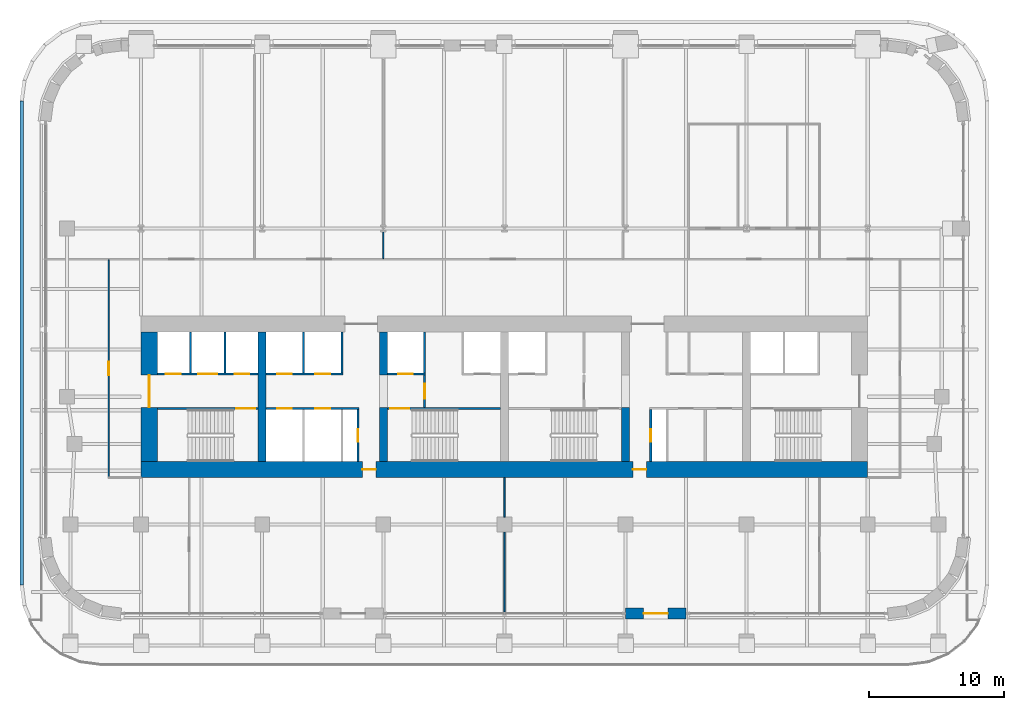
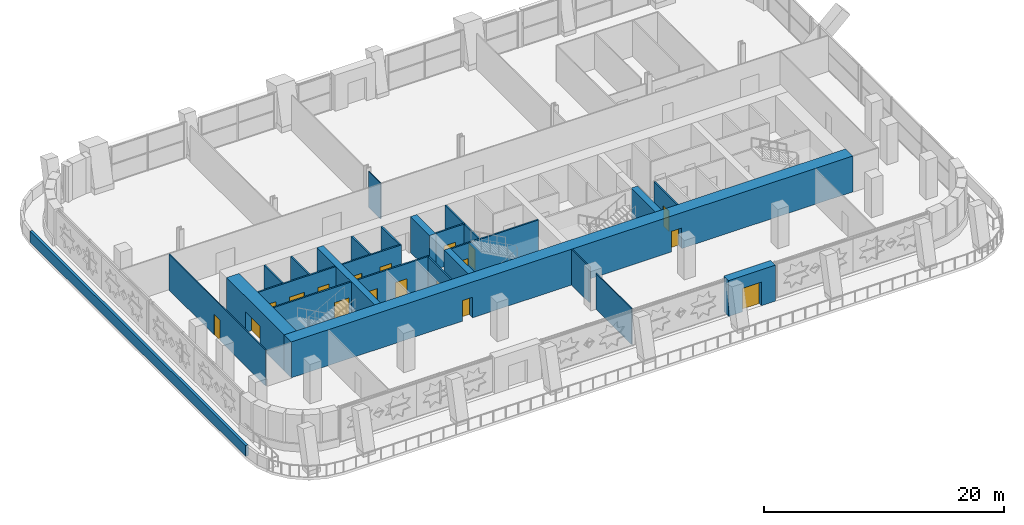
# One storey, part 15 of 26: 26 walls, 18 doors, 18 openings.
"""IFC4 building model written with IfcOpenShell, lengths in metres."""

from ifc_helpers import new_model, si_unit, direction, frame, frame_2d, origin, place, context, subcontext, project, spatial, rectangle, extrude, material, layer, layer_set, type_object, element, fill, save


model = new_model("IFC4")

# Units and contexts
model_context = context("Model", 3, precision=1e-05, world=origin(), true_north=direction((0.0, 1.0)))
body_context = subcontext(model_context, "Body", "Model", "MODEL_VIEW")
ifc_project = project(units=[si_unit("LENGTHUNIT", "METRE"), si_unit("AREAUNIT", "SQUARE_METRE"), si_unit("VOLUMEUNIT", "CUBIC_METRE"), si_unit("PLANEANGLEUNIT", "RADIAN"), si_unit("MASSUNIT", "GRAM", prefix="KILO")], contexts=[model_context])

# Site, building, storey
site_placement = place(None, origin())
site = spatial("IfcSite", under=ifc_project, at=site_placement, CompositionType="ELEMENT")
building_placement = place(site_placement, origin())
building = spatial("IfcBuilding", under=site, at=building_placement, Name="Zellij Exchange Tower", CompositionType="ELEMENT")
storey_placement = place(building_placement, frame((0.0, 0.0, 100.5)))
storey = spatial("IfcBuildingStorey", under=building, at=storey_placement, Name="L21", CompositionType="ELEMENT", Elevation=100.5)

# Walls
ifc_material_1 = material(Name="Concrete C70/85", Category="concrete")
ifc_layer_1 = layer(ifc_material_1, 0.60009765625)
ifc_layer_set_1 = layer_set([ifc_layer_1], Name="Concrete C70/85")
wall_type_1 = type_object("IfcWallType", Name="CORE-CW 600 C70/85", PredefinedType="SHEAR", material=ifc_layer_set_1)
wall_1_placement = place(storey_placement, frame((-18.0, -12.800048828125, 0.0), z_axis=(0.0, 0.0, 1.0), x_axis=(0.0, 1.0, 0.0)))
element("IfcWall", 1, at=wall_1_placement, inside=storey, type_object=wall_type_1, Name="Core cross wall x -18 L21", PredefinedType="SHEAR", context=body_context, shape_type="SweptSolid", body=[
    extrude(rectangle(XDim=9.60009765625, YDim=0.60009765625, at=frame_2d((4.800048828125, 0.0))), origin(), (0.0, 0.0, 1.0), 3.64990234375),
])
wall_2_placement = place(storey_placement, frame((-9.0, -12.800048828125, 0.0), z_axis=(0.0, 0.0, 1.0), x_axis=(0.0, 1.0, 0.0)))
element("IfcWall", 2, at=wall_2_placement, inside=storey, type_object=wall_type_1, Name="Core cross wall pier x -9 a L21", PredefinedType="SHEAR", context=body_context, shape_type="SweptSolid", body=[
    extrude(rectangle(XDim=4.0, YDim=0.60009765625, at=frame_2d((2.0, 0.0))), origin(), (0.0, 0.0, 1.0), 3.64990234375),
])
wall_3_placement = place(storey_placement, frame((-9.0, -6.375, 0.0), z_axis=(0.0, 0.0, 1.0), x_axis=(0.0, 1.0, 0.0)))
element("IfcWall", 3, at=wall_3_placement, inside=storey, type_object=wall_type_1, Name="Core cross wall pier x -9 b L21", PredefinedType="SHEAR", context=body_context, shape_type="SweptSolid", body=[
    extrude(rectangle(XDim=3.175048828125, YDim=0.60009765625, at=frame_2d((1.58740234375, 0.0))), origin(), (0.0, 0.0, 1.0), 3.64990234375),
])
wall_4_placement = place(storey_placement, frame((9.0, -12.800048828125, 0.0), z_axis=(0.0, 0.0, 1.0), x_axis=(0.0, 1.0, 0.0)))
element("IfcWall", 4, at=wall_4_placement, inside=storey, type_object=wall_type_1, Name="Core cross wall pier x 9 a L21", PredefinedType="SHEAR", context=body_context, shape_type="SweptSolid", body=[
    extrude(rectangle(XDim=4.0, YDim=0.60009765625, at=frame_2d((2.0, 0.0))), origin(), (0.0, 0.0, 1.0), 3.64990234375),
])

# Wall, opening, door
ifc_material_2 = material(Name="Gypsum shaft wall system")
ifc_layer_2 = layer(ifc_material_2, 0.14990234375)
ifc_layer_set_2 = layer_set([ifc_layer_2], Name="Gypsum shaft wall system")
wall_type_2 = type_object("IfcWallType", Name="CORE-PW 150 Firefighting lobby wall", PredefinedType="PARTITIONING", material=ifc_layer_set_2)
wall_5_placement = place(storey_placement, frame((-5.925048828125, -8.800048828125, 0.0), z_axis=(0.0, 0.0, 1.0), x_axis=(0.0, 1.0, 0.0)))
wall_5 = element("IfcWall", 5, at=wall_5_placement, inside=storey, type_object=wall_type_2, Name="Firefighting lobby wall L21", PredefinedType="PARTITIONING", context=body_context, shape_type="SweptSolid", body=[
    extrude(rectangle(XDim=2.425048828125, YDim=0.14990234375, at=frame_2d((1.21240234375, 0.0))), origin(), (0.0, 0.0, 1.0), 3.64990234375),
])
opening_1_placement = place(wall_5_placement, frame((0.662109375, 0.0, 0.0)))
opening_1 = element("IfcOpeningElement", 6, at=opening_1_placement, cuts=wall_5, Name="Opening CA-11.15", PredefinedType="OPENING", context=body_context, shape_type="SweptSolid", body=[
    extrude(rectangle(XDim=1.10009765625, YDim=2.10009765625, at=frame_2d((0.550048828125, 1.050048828125))), frame((0.0, 0.0869140625, 0.0), z_axis=(0.0, -1.0, 0.0), x_axis=(1.0, 0.0, 0.0)), (0.0, 0.0, 1.0), 0.173828125),
])
ifc_material_3 = material(Name="Hollow metal fire door")
door_type_1 = type_object("IfcDoorType", Name="CORE-D F Firefighting lobby door 1100x2100 1 HR", OperationType="NOTDEFINED", PredefinedType="DOOR", material=ifc_material_3)
door_1_placement = place(opening_1_placement, origin())
door_1 = element("IfcDoor", 7, at=door_1_placement, inside=storey, type_object=door_type_1, Name="Firefighting lobby door CA-11.15", OperationType="SINGLE_SWING_LEFT", OverallHeight=2.10009765625, OverallWidth=1.10009765625, PredefinedType="DOOR", context=body_context, shape_type="SweptSolid", body=[
    extrude(rectangle(XDim=1.10009765625, YDim=2.10009765625, at=frame_2d((0.550048828125, 1.050048828125))), frame((0.0, 0.02490234375, 0.0), z_axis=(0.0, -1.0, 0.0), x_axis=(1.0, 0.0, 0.0)), (0.0, 0.0, 1.0), 0.050048828125),
])
fill(opening_1, door_1)

ifc_material_4 = material(Name="Gypsum board partition")
ifc_layer_3 = layer(ifc_material_4, 0.14990234375)
ifc_layer_set_3 = layer_set([ifc_layer_3], Name="Gypsum board partition")
wall_type_3 = type_object("IfcWallType", Name="CORE-PW 150 Lift lobby wall", PredefinedType="PARTITIONING", material=ifc_layer_set_3)
wall_6_placement = place(storey_placement, frame((-10.875, -12.800048828125, 0.0), z_axis=(0.0, 0.0, 1.0), x_axis=(0.0, 1.0, 0.0)))
wall_6 = element("IfcWall", 8, at=wall_6_placement, inside=storey, type_object=wall_type_3, Name="Lift lobby wall L21", PredefinedType="PARTITIONING", context=body_context, shape_type="SweptSolid", body=[
    extrude(rectangle(XDim=3.85009765625, YDim=0.14990234375, at=frame_2d((1.925048828125, 0.0))), origin(), (0.0, 0.0, 1.0), 3.64990234375),
])
opening_2_placement = place(wall_6_placement, frame((1.47509765625, 0.0, 0.0)))
opening_2 = element("IfcOpeningElement", 9, at=opening_2_placement, cuts=wall_6, Name="Opening CA-11.10", PredefinedType="OPENING", context=body_context, shape_type="SweptSolid", body=[
    extrude(rectangle(XDim=0.89990234375, YDim=2.10009765625, at=frame_2d((0.449951171875, 1.050048828125))), frame((0.0, 0.0869140625, 0.0), z_axis=(0.0, -1.0, 0.0), x_axis=(1.0, 0.0, 0.0)), (0.0, 0.0, 1.0), 0.173828125),
])
door_type_2 = type_object("IfcDoorType", Name="CORE-D RD Riser door 900x2100 1.5 HR", OperationType="NOTDEFINED", PredefinedType="DOOR", material=ifc_material_3)
door_2_placement = place(opening_2_placement, origin())
door_2 = element("IfcDoor", 10, at=door_2_placement, inside=storey, type_object=door_type_2, Name="Riser door CA-11.10", OperationType="SINGLE_SWING_RIGHT", OverallHeight=2.10009765625, OverallWidth=0.89990234375, PredefinedType="DOOR", context=body_context, shape_type="SweptSolid", body=[
    extrude(rectangle(XDim=0.89990234375, YDim=2.10009765625, at=frame_2d((0.449951171875, 1.050048828125))), frame((0.0, 0.02490234375, 0.0), z_axis=(0.0, -1.0, 0.0), x_axis=(1.0, 0.0, 0.0)), (0.0, 0.0, 1.0), 0.050048828125),
])
fill(opening_2, door_2)

wall_7_placement = place(storey_placement, frame((10.875, -12.800048828125, 0.0), z_axis=(0.0, 0.0, 1.0), x_axis=(0.0, 1.0, 0.0)))
wall_7 = element("IfcWall", 11, at=wall_7_placement, inside=storey, type_object=wall_type_3, Name="Lift lobby wall L21", PredefinedType="PARTITIONING", context=body_context, shape_type="SweptSolid", body=[
    extrude(rectangle(XDim=3.85009765625, YDim=0.14990234375, at=frame_2d((1.925048828125, 0.0))), origin(), (0.0, 0.0, 1.0), 3.64990234375),
])
opening_3_placement = place(wall_7_placement, frame((1.47509765625, 0.0, 0.0)))
opening_3 = element("IfcOpeningElement", 12, at=opening_3_placement, cuts=wall_7, Name="Opening CA-11.22", PredefinedType="OPENING", context=body_context, shape_type="SweptSolid", body=[
    extrude(rectangle(XDim=0.89990234375, YDim=2.10009765625, at=frame_2d((0.449951171875, 1.050048828125))), frame((0.0, 0.0869140625, 0.0), z_axis=(0.0, -1.0, 0.0), x_axis=(1.0, 0.0, 0.0)), (0.0, 0.0, 1.0), 0.173828125),
])
door_3_placement = place(opening_3_placement, origin())
door_3 = element("IfcDoor", 13, at=door_3_placement, inside=storey, type_object=door_type_2, Name="Riser door CA-11.22", OperationType="SINGLE_SWING_LEFT", OverallHeight=2.10009765625, OverallWidth=0.89990234375, PredefinedType="DOOR", context=body_context, shape_type="SweptSolid", body=[
    extrude(rectangle(XDim=0.89990234375, YDim=2.10009765625, at=frame_2d((0.449951171875, 1.050048828125))), frame((0.0, 0.02490234375, 0.0), z_axis=(0.0, -1.0, 0.0), x_axis=(1.0, 0.0, 0.0)), (0.0, 0.0, 1.0), 0.050048828125),
])
fill(opening_3, door_3)

# Walls
ifc_layer_4 = layer(ifc_material_2, 0.14990234375)
ifc_layer_set_4 = layer_set([ifc_layer_4], Name="Gypsum shaft wall system")
wall_type_4 = type_object("IfcWallType", Name="CORE-PW 150 Lift shaft wall", PredefinedType="PARTITIONING", material=ifc_layer_set_4)
for number, where, z_axis, x_axis, name in (
    (14, (-20.77490234375, -6.22509765625, 0.0), (0.0, 0.0, 1.0), (0.0, 1.0, 0.0), "Lift shaft wall L21"),
    (15, (-23.324951171875, -6.22509765625, 0.0), (0.0, 0.0, 1.0), (0.0, 1.0, 0.0), "Lift shaft wall L21"),
    (16, (-12.074951171875, -6.22509765625, 0.0), (0.0, 0.0, 1.0), (0.0, 1.0, 0.0), "Lift shaft wall L21"),
    (17, (-14.925048828125, -6.22509765625, 0.0), (0.0, 0.0, 1.0), (0.0, 1.0, 0.0), "Lift shaft wall L21"),
    (18, (-5.925048828125, -6.22509765625, 0.0), (0.0, 0.0, 1.0), (0.0, 1.0, 0.0), "Lift shaft wall L21"),
):
    element("IfcWall", number, at=place(storey_placement, frame(where, z_axis=z_axis, x_axis=x_axis)), inside=storey, type_object=wall_type_4, Name=name, PredefinedType="PARTITIONING", context=body_context, shape_type="SweptSolid", body=[
        extrude(rectangle(XDim=3.025146484375, YDim=0.14990234375, at=frame_2d((1.5126953125, 0.0))), origin(), (0.0, 0.0, 1.0), 3.64990234375),
    ])

# Wall, openings, doors
wall_8_placement = place(storey_placement, frame((-25.800048828125, -6.300048828125, 0.0), z_axis=(0.0, 0.0, 1.0), x_axis=(1.0, 0.0, 0.0)))
wall_8 = element("IfcWall", 19, at=wall_8_placement, inside=storey, type_object=wall_type_4, Name="Lift shaft wall L21", PredefinedType="PARTITIONING", context=body_context, shape_type="SweptSolid", body=[
    extrude(rectangle(XDim=7.5, YDim=0.14990234375, at=frame_2d((3.75, 0.0))), origin(), (0.0, 0.0, 1.0), 3.64990234375),
])
opening_4_placement = place(wall_8_placement, frame((0.64990234375, 0.0, 0.0)))
opening_4 = element("IfcOpeningElement", 20, at=opening_4_placement, cuts=wall_8, Name="Opening CA-11.02", PredefinedType="OPENING", context=body_context, shape_type="SweptSolid", body=[
    extrude(rectangle(XDim=1.10009765625, YDim=2.10009765625, at=frame_2d((0.550048828125, 1.050048828125))), frame((0.0, 0.0869140625, 0.0), z_axis=(0.0, -1.0, 0.0), x_axis=(1.0, 0.0, 0.0)), (0.0, 0.0, 1.0), 0.173828125),
])
opening_5_placement = place(wall_8_placement, frame((3.050048828125, 0.0, 0.0)))
opening_5 = element("IfcOpeningElement", 21, at=opening_5_placement, cuts=wall_8, Name="Opening CA-11.03", PredefinedType="OPENING", context=body_context, shape_type="SweptSolid", body=[
    extrude(rectangle(XDim=1.39990234375, YDim=2.10009765625, at=frame_2d((0.699951171875, 1.050048828125))), frame((0.0, 0.0869140625, 0.0), z_axis=(0.0, -1.0, 0.0), x_axis=(1.0, 0.0, 0.0)), (0.0, 0.0, 1.0), 0.173828125),
])
opening_6_placement = place(wall_8_placement, frame((5.75, 0.0, 0.0)))
opening_6 = element("IfcOpeningElement", 22, at=opening_6_placement, cuts=wall_8, Name="Opening CA-11.04", PredefinedType="OPENING", context=body_context, shape_type="SweptSolid", body=[
    extrude(rectangle(XDim=1.10009765625, YDim=2.10009765625, at=frame_2d((0.550048828125, 1.050048828125))), frame((0.0, 0.0869140625, 0.0), z_axis=(0.0, -1.0, 0.0), x_axis=(1.0, 0.0, 0.0)), (0.0, 0.0, 1.0), 0.173828125),
])
door_type_3 = type_object("IfcDoorType", Name="CORE-D LD Lift landing door 1100x2100 1.5 HR", OperationType="NOTDEFINED", PredefinedType="DOOR", material=ifc_material_3)
door_4_placement = place(opening_4_placement, origin())
door_4 = element("IfcDoor", 23, at=door_4_placement, inside=storey, type_object=door_type_3, Name="Lift landing door CA-11.02", OperationType="SLIDING_TO_RIGHT", OverallHeight=2.10009765625, OverallWidth=1.10009765625, PredefinedType="DOOR", context=body_context, shape_type="SweptSolid", body=[
    extrude(rectangle(XDim=1.10009765625, YDim=2.10009765625, at=frame_2d((0.550048828125, 1.050048828125))), frame((0.0, 0.02490234375, 0.0), z_axis=(0.0, -1.0, 0.0), x_axis=(1.0, 0.0, 0.0)), (0.0, 0.0, 1.0), 0.050048828125),
])
fill(opening_4, door_4)
door_5_placement = place(opening_6_placement, origin())
door_5 = element("IfcDoor", 24, at=door_5_placement, inside=storey, type_object=door_type_3, Name="Lift landing door CA-11.04", OperationType="SLIDING_TO_RIGHT", OverallHeight=2.10009765625, OverallWidth=1.10009765625, PredefinedType="DOOR", context=body_context, shape_type="SweptSolid", body=[
    extrude(rectangle(XDim=1.10009765625, YDim=2.10009765625, at=frame_2d((0.550048828125, 1.050048828125))), frame((0.0, 0.02490234375, 0.0), z_axis=(0.0, -1.0, 0.0), x_axis=(1.0, 0.0, 0.0)), (0.0, 0.0, 1.0), 0.050048828125),
])
fill(opening_6, door_5)
door_type_4 = type_object("IfcDoorType", Name="CORE-D LD2 Service lift landing door 1400x2100 1.5 HR", OperationType="NOTDEFINED", PredefinedType="DOOR", material=ifc_material_3)
door_6_placement = place(opening_5_placement, origin())
door_6 = element("IfcDoor", 25, at=door_6_placement, inside=storey, type_object=door_type_4, Name="Service lift landing door CA-11.03", OperationType="SLIDING_TO_LEFT", OverallHeight=2.10009765625, OverallWidth=1.39990234375, PredefinedType="DOOR", context=body_context, shape_type="SweptSolid", body=[
    extrude(rectangle(XDim=1.39990234375, YDim=2.10009765625, at=frame_2d((0.699951171875, 1.050048828125))), frame((0.0, 0.02490234375, 0.0), z_axis=(0.0, -1.0, 0.0), x_axis=(1.0, 0.0, 0.0)), (0.0, 0.0, 1.0), 0.050048828125),
])
fill(opening_5, door_6)

wall_9_placement = place(storey_placement, frame((-17.699951171875, -6.300048828125, 0.0), z_axis=(0.0, 0.0, 1.0), x_axis=(1.0, 0.0, 0.0)))
wall_9 = element("IfcWall", 26, at=wall_9_placement, inside=storey, type_object=wall_type_4, Name="Lift shaft wall L21", PredefinedType="PARTITIONING", context=body_context, shape_type="SweptSolid", body=[
    extrude(rectangle(XDim=5.699951171875, YDim=0.14990234375, at=frame_2d((2.85009765625, 0.0))), origin(), (0.0, 0.0, 1.0), 3.64990234375),
])
opening_7_placement = place(wall_9_placement, frame((0.800048828125, 0.0, 0.0)))
opening_7 = element("IfcOpeningElement", 27, at=opening_7_placement, cuts=wall_9, Name="Opening CA-11.07", PredefinedType="OPENING", context=body_context, shape_type="SweptSolid", body=[
    extrude(rectangle(XDim=1.10009765625, YDim=2.10009765625, at=frame_2d((0.550048828125, 1.050048828125))), frame((0.0, 0.0869140625, 0.0), z_axis=(0.0, -1.0, 0.0), x_axis=(1.0, 0.0, 0.0)), (0.0, 0.0, 1.0), 0.173828125),
])
opening_8_placement = place(wall_9_placement, frame((3.64990234375, 0.0, 0.0)))
opening_8 = element("IfcOpeningElement", 28, at=opening_8_placement, cuts=wall_9, Name="Opening CA-11.09", PredefinedType="OPENING", context=body_context, shape_type="SweptSolid", body=[
    extrude(rectangle(XDim=1.10009765625, YDim=2.10009765625, at=frame_2d((0.550048828125, 1.050048828125))), frame((0.0, 0.0869140625, 0.0), z_axis=(0.0, -1.0, 0.0), x_axis=(1.0, 0.0, 0.0)), (0.0, 0.0, 1.0), 0.173828125),
])
door_7_placement = place(opening_7_placement, origin())
door_7 = element("IfcDoor", 29, at=door_7_placement, inside=storey, type_object=door_type_3, Name="Lift landing door CA-11.07", OperationType="SLIDING_TO_LEFT", OverallHeight=2.10009765625, OverallWidth=1.10009765625, PredefinedType="DOOR", context=body_context, shape_type="SweptSolid", body=[
    extrude(rectangle(XDim=1.10009765625, YDim=2.10009765625, at=frame_2d((0.550048828125, 1.050048828125))), frame((0.0, 0.02490234375, 0.0), z_axis=(0.0, -1.0, 0.0), x_axis=(1.0, 0.0, 0.0)), (0.0, 0.0, 1.0), 0.050048828125),
])
fill(opening_7, door_7)
door_8_placement = place(opening_8_placement, origin())
door_8 = element("IfcDoor", 30, at=door_8_placement, inside=storey, type_object=door_type_3, Name="Lift landing door CA-11.09", OperationType="SLIDING_TO_LEFT", OverallHeight=2.10009765625, OverallWidth=1.10009765625, PredefinedType="DOOR", context=body_context, shape_type="SweptSolid", body=[
    extrude(rectangle(XDim=1.10009765625, YDim=2.10009765625, at=frame_2d((0.550048828125, 1.050048828125))), frame((0.0, 0.02490234375, 0.0), z_axis=(0.0, -1.0, 0.0), x_axis=(1.0, 0.0, 0.0)), (0.0, 0.0, 1.0), 0.050048828125),
])
fill(opening_8, door_8)

# Wall, opening, door
wall_10_placement = place(storey_placement, frame((-8.699951171875, -6.300048828125, 0.0), z_axis=(0.0, 0.0, 1.0), x_axis=(1.0, 0.0, 0.0)))
wall_10 = element("IfcWall", 31, at=wall_10_placement, inside=storey, type_object=wall_type_4, Name="Lift shaft wall L21", PredefinedType="PARTITIONING", context=body_context, shape_type="SweptSolid", body=[
    extrude(rectangle(XDim=2.849853515625, YDim=0.14990234375, at=frame_2d((1.4248046875, 0.0))), origin(), (0.0, 0.0, 1.0), 3.64990234375),
])
opening_9_placement = place(wall_10_placement, frame((0.800048828125, 0.0, 0.0)))
opening_9 = element("IfcOpeningElement", 32, at=opening_9_placement, cuts=wall_10, Name="Opening CA-11.14", PredefinedType="OPENING", context=body_context, shape_type="SweptSolid", body=[
    extrude(rectangle(XDim=1.10009765625, YDim=2.10009765625, at=frame_2d((0.550048828125, 1.050048828125))), frame((0.0, 0.0869140625, 0.0), z_axis=(0.0, -1.0, 0.0), x_axis=(1.0, 0.0, 0.0)), (0.0, 0.0, 1.0), 0.173828125),
])
door_9_placement = place(opening_9_placement, origin())
door_9 = element("IfcDoor", 33, at=door_9_placement, inside=storey, type_object=door_type_3, Name="Lift landing door CA-11.14", OperationType="SLIDING_TO_RIGHT", OverallHeight=2.10009765625, OverallWidth=1.10009765625, PredefinedType="DOOR", context=body_context, shape_type="SweptSolid", body=[
    extrude(rectangle(XDim=1.10009765625, YDim=2.10009765625, at=frame_2d((0.550048828125, 1.050048828125))), frame((0.0, 0.02490234375, 0.0), z_axis=(0.0, -1.0, 0.0), x_axis=(1.0, 0.0, 0.0)), (0.0, 0.0, 1.0), 0.050048828125),
])
fill(opening_9, door_9)

# Wall, openings, doors
wall_11_placement = place(storey_placement, frame((-17.699951171875, -8.875, 0.0), z_axis=(0.0, 0.0, 1.0), x_axis=(1.0, 0.0, 0.0)))
wall_11 = element("IfcWall", 34, at=wall_11_placement, inside=storey, type_object=wall_type_4, Name="Lift shaft wall L21", PredefinedType="PARTITIONING", context=body_context, shape_type="SweptSolid", body=[
    extrude(rectangle(XDim=6.89990234375, YDim=0.14990234375, at=frame_2d((3.449951171875, 0.0))), origin(), (0.0, 0.0, 1.0), 3.64990234375),
])
opening_10_placement = place(wall_11_placement, frame((0.800048828125, 0.0, 0.0)))
opening_10 = element("IfcOpeningElement", 35, at=opening_10_placement, cuts=wall_11, Name="Opening CA-11.06", PredefinedType="OPENING", context=body_context, shape_type="SweptSolid", body=[
    extrude(rectangle(XDim=1.10009765625, YDim=2.10009765625, at=frame_2d((0.550048828125, 1.050048828125))), frame((0.0, 0.0869140625, 0.0), z_axis=(0.0, -1.0, 0.0), x_axis=(1.0, 0.0, 0.0)), (0.0, 0.0, 1.0), 0.173828125),
])
opening_11_placement = place(wall_11_placement, frame((3.64990234375, 0.0, 0.0)))
opening_11 = element("IfcOpeningElement", 36, at=opening_11_placement, cuts=wall_11, Name="Opening CA-11.08", PredefinedType="OPENING", context=body_context, shape_type="SweptSolid", body=[
    extrude(rectangle(XDim=1.10009765625, YDim=2.10009765625, at=frame_2d((0.550048828125, 1.050048828125))), frame((0.0, 0.0869140625, 0.0), z_axis=(0.0, -1.0, 0.0), x_axis=(1.0, 0.0, 0.0)), (0.0, 0.0, 1.0), 0.173828125),
])
door_10_placement = place(opening_10_placement, origin())
door_10 = element("IfcDoor", 37, at=door_10_placement, inside=storey, type_object=door_type_3, Name="Lift landing door CA-11.06", OperationType="SLIDING_TO_RIGHT", OverallHeight=2.10009765625, OverallWidth=1.10009765625, PredefinedType="DOOR", context=body_context, shape_type="SweptSolid", body=[
    extrude(rectangle(XDim=1.10009765625, YDim=2.10009765625, at=frame_2d((0.550048828125, 1.050048828125))), frame((0.0, 0.02490234375, 0.0), z_axis=(0.0, -1.0, 0.0), x_axis=(1.0, 0.0, 0.0)), (0.0, 0.0, 1.0), 0.050048828125),
])
fill(opening_10, door_10)
door_11_placement = place(opening_11_placement, origin())
door_11 = element("IfcDoor", 38, at=door_11_placement, inside=storey, type_object=door_type_3, Name="Lift landing door CA-11.08", OperationType="SLIDING_TO_RIGHT", OverallHeight=2.10009765625, OverallWidth=1.10009765625, PredefinedType="DOOR", context=body_context, shape_type="SweptSolid", body=[
    extrude(rectangle(XDim=1.10009765625, YDim=2.10009765625, at=frame_2d((0.550048828125, 1.050048828125))), frame((0.0, 0.02490234375, 0.0), z_axis=(0.0, -1.0, 0.0), x_axis=(1.0, 0.0, 0.0)), (0.0, 0.0, 1.0), 0.050048828125),
])
fill(opening_11, door_11)

ifc_layer_5 = layer(ifc_material_1, 1.199951171875)
ifc_layer_set_5 = layer_set([ifc_layer_5], Name="Concrete C70/85")
wall_type_5 = type_object("IfcWallType", Name="CORE-SW 1200 C70/85", PredefinedType="SHEAR", material=ifc_layer_set_5)
wall_12_placement = place(storey_placement, frame((-27.0, -13.39990234375, 0.0), z_axis=(0.0, 0.0, 1.0), x_axis=(1.0, 0.0, 0.0)))
wall_12 = element("IfcWall", 39, at=wall_12_placement, inside=storey, type_object=wall_type_5, Name="Core shear wall rear L21", PredefinedType="SHEAR", context=body_context, shape_type="SweptSolid", body=[
    extrude(rectangle(XDim=54.0, YDim=1.199951171875, at=frame_2d((27.0, 0.0))), origin(), (0.0, 0.0, 1.0), 3.64990234375),
])
opening_12_placement = place(wall_12_placement, frame((16.449951171875, 0.0, 0.0)))
opening_12 = element("IfcOpeningElement", 40, at=opening_12_placement, cuts=wall_12, Name="Opening CA-11.12", PredefinedType="OPENING", context=body_context, shape_type="SweptSolid", body=[
    extrude(rectangle(XDim=1.0, YDim=2.10009765625, at=frame_2d((0.5, 1.050048828125))), frame((0.0, 0.61181640625, 0.0), z_axis=(0.0, -1.0, 0.0), x_axis=(1.0, 0.0, 0.0)), (0.0, 0.0, 1.0), 1.223876953125),
])
opening_13_placement = place(wall_12_placement, frame((36.550048828125, 0.0, 0.0)))
opening_13 = element("IfcOpeningElement", 41, at=opening_13_placement, cuts=wall_12, Name="Opening CA-11.20", PredefinedType="OPENING", context=body_context, shape_type="SweptSolid", body=[
    extrude(rectangle(XDim=1.0, YDim=2.10009765625, at=frame_2d((0.5, 1.050048828125))), frame((0.0, 0.61181640625, 0.0), z_axis=(0.0, -1.0, 0.0), x_axis=(1.0, 0.0, 0.0)), (0.0, 0.0, 1.0), 1.223876953125),
])
door_type_5 = type_object("IfcDoorType", Name="CORE-D CR Core rear door 1000x2100 20 MIN", OperationType="NOTDEFINED", PredefinedType="DOOR", material=ifc_material_3)
door_12_placement = place(opening_12_placement, origin())
door_12 = element("IfcDoor", 42, at=door_12_placement, inside=storey, type_object=door_type_5, Name="Core rear door CA-11.12", OperationType="SINGLE_SWING_RIGHT", OverallHeight=2.10009765625, OverallWidth=1.0, PredefinedType="DOOR", context=body_context, shape_type="SweptSolid", body=[
    extrude(rectangle(XDim=1.0, YDim=2.10009765625, at=frame_2d((0.5, 1.050048828125))), frame((0.0, 0.02490234375, 0.0), z_axis=(0.0, -1.0, 0.0), x_axis=(1.0, 0.0, 0.0)), (0.0, 0.0, 1.0), 0.050048828125),
])
fill(opening_12, door_12)
door_13_placement = place(opening_13_placement, origin())
door_13 = element("IfcDoor", 43, at=door_13_placement, inside=storey, type_object=door_type_5, Name="Core rear door CA-11.20", OperationType="SINGLE_SWING_LEFT", OverallHeight=2.10009765625, OverallWidth=1.0, PredefinedType="DOOR", context=body_context, shape_type="SweptSolid", body=[
    extrude(rectangle(XDim=1.0, YDim=2.10009765625, at=frame_2d((0.5, 1.050048828125))), frame((0.0, 0.02490234375, 0.0), z_axis=(0.0, -1.0, 0.0), x_axis=(1.0, 0.0, 0.0)), (0.0, 0.0, 1.0), 0.050048828125),
])
fill(opening_13, door_13)

# Wall, opening, door
wall_13_placement = place(storey_placement, frame((-26.39990234375, -12.800048828125, 0.0), z_axis=(0.0, 0.0, 1.0), x_axis=(0.0, 1.0, 0.0)))
wall_13 = element("IfcWall", 44, at=wall_13_placement, inside=storey, type_object=wall_type_5, Name="Core shear wall end w L21", PredefinedType="SHEAR", context=body_context, shape_type="SweptSolid", body=[
    extrude(rectangle(XDim=9.60009765625, YDim=1.199951171875, at=frame_2d((4.800048828125, 0.0))), origin(), (0.0, 0.0, 1.0), 3.64990234375),
])
opening_14_placement = place(wall_13_placement, frame((4.011962890625, 0.0, 0.0)))
opening_14 = element("IfcOpeningElement", 45, at=opening_14_placement, cuts=wall_13, Name="Opening CA-11.01", PredefinedType="OPENING", context=body_context, shape_type="SweptSolid", body=[
    extrude(rectangle(XDim=2.39990234375, YDim=2.10009765625, at=frame_2d((1.199951171875, 1.050048828125))), frame((0.0, 0.61181640625, 0.0), z_axis=(0.0, -1.0, 0.0), x_axis=(1.0, 0.0, 0.0)), (0.0, 0.0, 1.0), 1.223876953125),
])
door_type_6 = type_object("IfcDoorType", Name="CORE-D CE Core entrance door 2400x2100 20 MIN", OperationType="NOTDEFINED", PredefinedType="DOOR", material=ifc_material_3)
door_14_placement = place(opening_14_placement, origin())
door_14 = element("IfcDoor", 46, at=door_14_placement, inside=storey, type_object=door_type_6, Name="Core entrance door CA-11.01", OperationType="DOUBLE_DOOR_SINGLE_SWING", OverallHeight=2.10009765625, OverallWidth=2.39990234375, PredefinedType="DOOR", context=body_context, shape_type="SweptSolid", body=[
    extrude(rectangle(XDim=2.39990234375, YDim=2.10009765625, at=frame_2d((1.199951171875, 1.050048828125))), frame((0.0, 0.02490234375, 0.0), z_axis=(0.0, -1.0, 0.0), x_axis=(1.0, 0.0, 0.0)), (0.0, 0.0, 1.0), 0.050048828125),
])
fill(opening_14, door_14)

ifc_layer_6 = layer(ifc_material_1, 0.14990234375)
ifc_layer_set_6 = layer_set([ifc_layer_6], Name="Concrete C70/85")
wall_type_6 = type_object("IfcWallType", Name="CORE-SWS 150 C70/85", PredefinedType="SHEAR", material=ifc_layer_set_6)
wall_14_placement = place(storey_placement, frame((-25.800048828125, -8.875, 0.0), z_axis=(0.0, 0.0, 1.0), x_axis=(1.0, 0.0, 0.0)))
wall_14 = element("IfcWall", 47, at=wall_14_placement, inside=storey, type_object=wall_type_6, Name="Stair enclosure wall L21", PredefinedType="SHEAR", context=body_context, shape_type="SweptSolid", body=[
    extrude(rectangle(XDim=7.5, YDim=0.14990234375, at=frame_2d((3.75, 0.0))), origin(), (0.0, 0.0, 1.0), 3.64990234375),
])
opening_15_placement = place(wall_14_placement, frame((5.875, 0.0, 0.0)))
opening_15 = element("IfcOpeningElement", 48, at=opening_15_placement, cuts=wall_14, Name="Opening CA-11.05", PredefinedType="OPENING", context=body_context, shape_type="SweptSolid", body=[
    extrude(rectangle(XDim=1.39990234375, YDim=2.10009765625, at=frame_2d((0.699951171875, 1.050048828125))), frame((0.0, 0.0869140625, 0.0), z_axis=(0.0, -1.0, 0.0), x_axis=(1.0, 0.0, 0.0)), (0.0, 0.0, 1.0), 0.173828125),
])
door_type_7 = type_object("IfcDoorType", Name="CORE-D SD Stair door 1400x2100 1.5 HR", OperationType="NOTDEFINED", PredefinedType="DOOR", material=ifc_material_3)
door_15_placement = place(opening_15_placement, origin())
door_15 = element("IfcDoor", 49, at=door_15_placement, inside=storey, type_object=door_type_7, Name="Stair door CA-11.05", OperationType="DOUBLE_DOOR_SINGLE_SWING", OverallHeight=2.10009765625, OverallWidth=1.39990234375, PredefinedType="DOOR", context=body_context, shape_type="SweptSolid", body=[
    extrude(rectangle(XDim=1.39990234375, YDim=2.10009765625, at=frame_2d((0.699951171875, 1.050048828125))), frame((0.0, 0.02490234375, 0.0), z_axis=(0.0, -1.0, 0.0), x_axis=(1.0, 0.0, 0.0)), (0.0, 0.0, 1.0), 0.050048828125),
])
fill(opening_15, door_15)

wall_15_placement = place(storey_placement, frame((-8.699951171875, -8.875, 0.0), z_axis=(0.0, 0.0, 1.0), x_axis=(1.0, 0.0, 0.0)))
wall_15 = element("IfcWall", 50, at=wall_15_placement, inside=storey, type_object=wall_type_6, Name="Stair enclosure wall L21", PredefinedType="SHEAR", context=body_context, shape_type="SweptSolid", body=[
    extrude(rectangle(XDim=8.39990234375, YDim=0.14990234375, at=frame_2d((4.199951171875, 0.0))), origin(), (0.0, 0.0, 1.0), 3.64990234375),
])
opening_16_placement = place(wall_15_placement, frame((0.22509765625, 0.0, 0.0)))
opening_16 = element("IfcOpeningElement", 51, at=opening_16_placement, cuts=wall_15, Name="Opening CA-11.13", PredefinedType="OPENING", context=body_context, shape_type="SweptSolid", body=[
    extrude(rectangle(XDim=1.39990234375, YDim=2.10009765625, at=frame_2d((0.699951171875, 1.050048828125))), frame((0.0, 0.0869140625, 0.0), z_axis=(0.0, -1.0, 0.0), x_axis=(1.0, 0.0, 0.0)), (0.0, 0.0, 1.0), 0.173828125),
])
door_16_placement = place(opening_16_placement, origin())
door_16 = element("IfcDoor", 52, at=door_16_placement, inside=storey, type_object=door_type_7, Name="Stair door CA-11.13", OperationType="DOUBLE_DOOR_SINGLE_SWING", OverallHeight=2.10009765625, OverallWidth=1.39990234375, PredefinedType="DOOR", context=body_context, shape_type="SweptSolid", body=[
    extrude(rectangle(XDim=1.39990234375, YDim=2.10009765625, at=frame_2d((0.699951171875, 1.050048828125))), frame((0.0, 0.02490234375, 0.0), z_axis=(0.0, -1.0, 0.0), x_axis=(1.0, 0.0, 0.0)), (0.0, 0.0, 1.0), 0.050048828125),
])
fill(opening_16, door_16)

ifc_material_5 = material(Name="Precast concrete C40/50", Category="concrete")
ifc_layer_7 = layer(ifc_material_5, 0.800048828125)
ifc_layer_set_7 = layer_set([ifc_layer_7], Name="Precast concrete C40/50")
wall_type_7 = type_object("IfcWallType", Name="ENV-EW1 Precast stone-piered wall 800", PredefinedType="SOLIDWALL", material=ifc_layer_set_7)
wall_16_placement = place(storey_placement, frame((9.0, -24.10009765625, 0.0), z_axis=(0.0, 0.0, 1.0), x_axis=(1.0, 0.0, 0.0)))
wall_16 = element("IfcWall", 53, at=wall_16_placement, inside=storey, type_object=wall_type_7, Name="fac.L21.00d", PredefinedType="SOLIDWALL", context=body_context, shape_type="SweptSolid", body=[
    extrude(rectangle(XDim=4.5, YDim=0.800048828125, at=frame_2d((2.25, 0.0))), origin(), (0.0, 0.0, 1.0), 3.64990234375),
])
opening_17_placement = place(wall_16_placement, frame((1.35009765625, 0.0, 0.0)))
opening_17 = element("IfcOpeningElement", 54, at=opening_17_placement, cuts=wall_16, Name="Opening FT1.14", PredefinedType="OPENING", context=body_context, shape_type="SweptSolid", body=[
    extrude(rectangle(XDim=1.800048828125, YDim=2.39990234375, at=frame_2d((0.89990234375, 1.199951171875))), frame((0.0, 0.412109375, 0.0), z_axis=(0.0, -1.0, 0.0), x_axis=(1.0, 0.0, 0.0)), (0.0, 0.0, 1.0), 0.823974609375),
])
ifc_material_6 = material(Name="Aluminium and glass terrace door", Category="aluminium")
door_type_8 = type_object("IfcDoorType", Name="ENV-ED5 Terrace door 1800x2400", OperationType="DOUBLE_DOOR_SINGLE_SWING", PredefinedType="DOOR", material=ifc_material_6)
door_17_placement = place(opening_17_placement, origin())
door_17 = element("IfcDoor", 55, at=door_17_placement, inside=storey, type_object=door_type_8, Name="Terrace door FT1.14", OperationType="DOUBLE_DOOR_SINGLE_SWING", OverallHeight=2.39990234375, OverallWidth=1.800048828125, PredefinedType="DOOR", context=body_context, shape_type="SweptSolid", body=[
    extrude(rectangle(XDim=1.800048828125, YDim=2.39990234375, at=frame_2d((0.89990234375, 1.199951171875))), frame((0.0, 0.02490234375, 0.0), z_axis=(0.0, -1.0, 0.0), x_axis=(1.0, 0.0, 0.0)), (0.0, 0.0, 1.0), 0.050048828125),
])
fill(opening_17, door_17)

# Walls
ifc_layer_8 = layer(ifc_material_5, 0.25)
ifc_layer_set_8 = layer_set([ifc_layer_8], Name="Precast concrete C40/50")
wall_type_8 = type_object("IfcWallType", Name="ENV-PR1 Parapet 250", PredefinedType="PARAPET", material=ifc_layer_set_8)
wall_17_placement = place(storey_placement, frame((-35.875, 13.983642578125, 0.0), z_axis=(0.0, 0.0, 1.0), x_axis=(0.0, -1.0, 0.0)))
element("IfcWall", 56, at=wall_17_placement, inside=storey, type_object=wall_type_8, Name="fac.par.L21.02.01.17", PredefinedType="PARAPET", context=body_context, shape_type="SweptSolid", body=[
    extrude(rectangle(XDim=35.96728515625, YDim=0.25, at=frame_2d((17.983642578125, 0.0))), origin(), (0.0, 0.0, 1.0), 1.10009765625),
])
ifc_material_7 = material(Name="Gypsum board partition on steel studs", Category="steel")
ifc_layer_9 = layer(ifc_material_7, 0.10009765625)
ifc_layer_set_9 = layer_set([ifc_layer_9], Name="Gypsum board partition on steel studs")
wall_type_9 = type_object("IfcWallType", Name="FIT-PARTITION-100", PredefinedType="PARTITIONING", material=ifc_layer_set_9)
wall_18_placement = place(storey_placement, frame((0.0, -23.97998046875, 0.0), z_axis=(0.0, 0.0, 1.0), x_axis=(0.0, 1.0, 0.0)))
element("IfcWall", 57, at=wall_18_placement, inside=storey, type_object=wall_type_9, Name="FIT-PARTITION-100 002", PredefinedType="PARTITIONING", context=body_context, shape_type="SweptSolid", body=[
    extrude(rectangle(XDim=5.929931640625, YDim=0.10009765625, at=frame_2d((2.96484375, 0.0))), origin(), (0.0, 0.0, 1.0), 3.64990234375),
])
wall_19_placement = place(storey_placement, frame((0.0, -16.949951171875, 0.0), z_axis=(0.0, 0.0, 1.0), x_axis=(0.0, 1.0, 0.0)))
element("IfcWall", 58, at=wall_19_placement, inside=storey, type_object=wall_type_9, Name="FIT-PARTITION-100 003", PredefinedType="PARTITIONING", context=body_context, shape_type="SweptSolid", body=[
    extrude(rectangle(XDim=2.949951171875, YDim=0.10009765625, at=frame_2d((1.47509765625, 0.0))), origin(), (0.0, 0.0, 1.0), 3.64990234375),
])

# Wall, opening, door
wall_20_placement = place(storey_placement, frame((-29.39990234375, -13.949951171875, 0.0), z_axis=(0.0, 0.0, 1.0), x_axis=(0.0, 1.0, 0.0)))
wall_20 = element("IfcWall", 59, at=wall_20_placement, inside=storey, type_object=wall_type_9, Name="FIT-PARTITION-100 006", PredefinedType="PARTITIONING", context=body_context, shape_type="SweptSolid", body=[
    extrude(rectangle(XDim=16.119873046875, YDim=0.10009765625, at=frame_2d((8.06005859375, 0.0))), origin(), (0.0, 0.0, 1.0), 3.64990234375),
])
opening_18_placement = place(wall_20_placement, frame((7.550048828125, 0.0, 0.0)))
opening_18 = element("IfcOpeningElement", 60, at=opening_18_placement, cuts=wall_20, Name="Opening SL1.03", PredefinedType="OPENING", context=body_context, shape_type="SweptSolid", body=[
    extrude(rectangle(XDim=1.0, YDim=2.10009765625, at=frame_2d((0.5, 1.050048828125))), frame((0.0, 0.06201171875, 0.0), z_axis=(0.0, -1.0, 0.0), x_axis=(1.0, 0.0, 0.0)), (0.0, 0.0, 1.0), 0.1240234375),
])
ifc_material_8 = material(Name="Timber door set", Category="wood")
door_type_9 = type_object("IfcDoorType", Name="FIT-D2-WIDE-1000X2100", OperationType="SINGLE_SWING_LEFT", PredefinedType="DOOR", material=ifc_material_8)
door_18_placement = place(opening_18_placement, origin())
door_18 = element("IfcDoor", 61, at=door_18_placement, inside=storey, type_object=door_type_9, Name="Door SL1.03", OperationType="SINGLE_SWING_RIGHT", OverallHeight=2.10009765625, OverallWidth=1.0, PredefinedType="DOOR", context=body_context, shape_type="SweptSolid", body=[
    extrude(rectangle(XDim=1.0, YDim=2.10009765625, at=frame_2d((0.5, 1.050048828125))), frame((0.0, 0.02490234375, 0.0), z_axis=(0.0, -1.0, 0.0), x_axis=(1.0, 0.0, 0.0)), (0.0, 0.0, 1.0), 0.050048828125),
])
fill(opening_18, door_18)

# Wall
wall_21_placement = place(storey_placement, frame((-9.0, 2.27001953125, 0.0), z_axis=(0.0, 0.0, 1.0), x_axis=(0.0, 1.0, 0.0)))
element("IfcWall", 62, at=wall_21_placement, inside=storey, type_object=wall_type_9, Name="FIT-PARTITION-100 011", PredefinedType="PARTITIONING", context=body_context, shape_type="SweptSolid", body=[
    extrude(rectangle(XDim=1.98095703125, YDim=0.10009765625, at=frame_2d((0.990478515625, 0.0))), origin(), (0.0, 0.0, 1.0), 3.64990234375),
])

save(model, "model.ifc")
